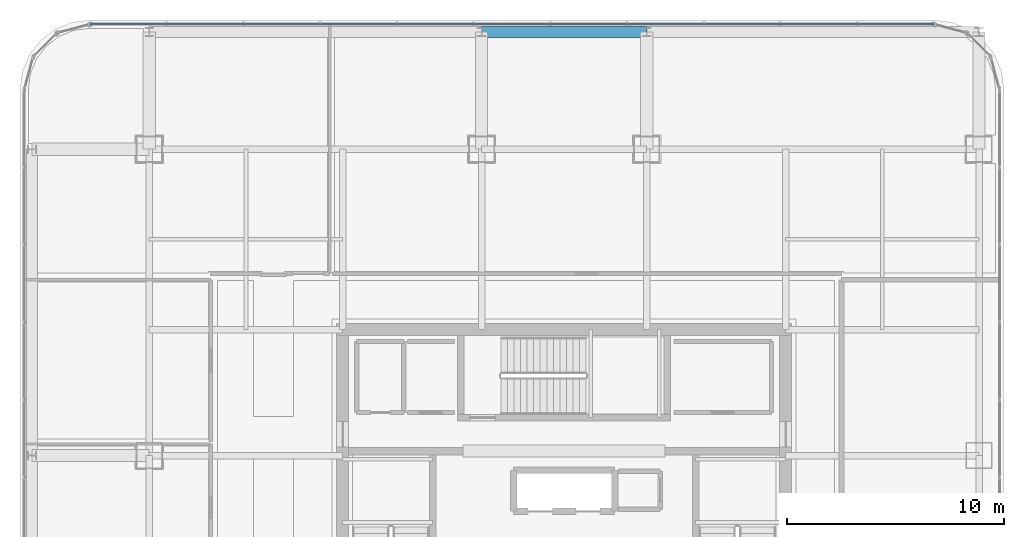
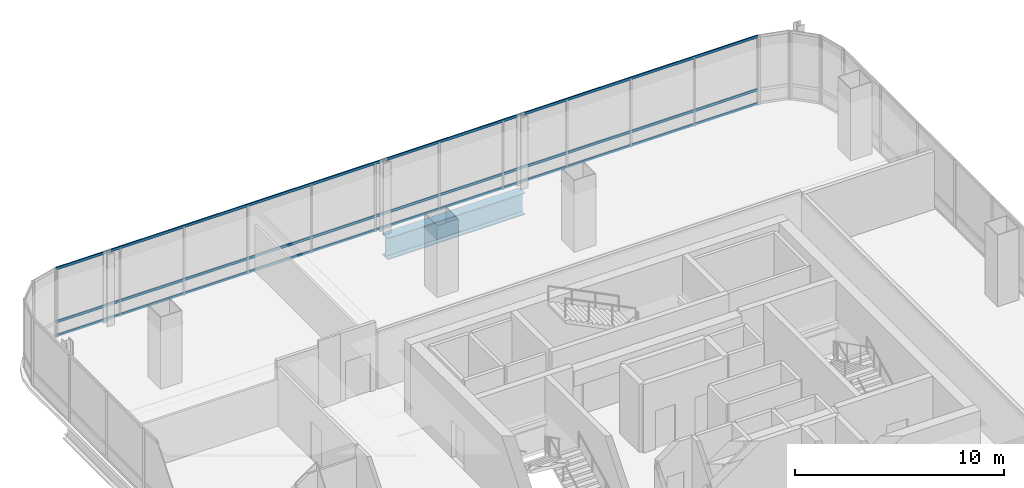
# One storey, part 26 of 42: 3 members, 1 beam, 1 element without a shape of its own.
"""IFC4 building model written with IfcOpenShell, lengths in metres."""

from ifc_helpers import new_model, si_unit, direction, frame, origin, origin_2d, place, context, subcontext, project, spatial, hollow_rectangle, i_section, extrude, material, material_profile, profile_set, type_object, element, aggregate, save


model = new_model("IFC4")

# Units and contexts
model_context = context("Model", 3, precision=1e-05, world=origin(), true_north=direction((0.0, 1.0)))
body_context = subcontext(model_context, "Body", "Model", "MODEL_VIEW")
ifc_project = project(units=[si_unit("LENGTHUNIT", "METRE"), si_unit("AREAUNIT", "SQUARE_METRE"), si_unit("VOLUMEUNIT", "CUBIC_METRE"), si_unit("PLANEANGLEUNIT", "RADIAN"), si_unit("MASSUNIT", "GRAM", prefix="KILO")], contexts=[model_context])

# Site, building, storey
site_placement = place(None, origin())
site = spatial("IfcSite", under=ifc_project, at=site_placement, CompositionType="ELEMENT")
building_placement = place(site_placement, origin())
building = spatial("IfcBuilding", under=site, at=building_placement, Name="Punatoya Terracotta Tower", CompositionType="ELEMENT")
storey_placement = place(building_placement, frame((0.0, 0.0, 296.39990234375)))
storey = spatial("IfcBuildingStorey", under=building, at=storey_placement, Name="L70", CompositionType="ELEMENT", Elevation=296.39990234375)

# Beam
ifc_material_1 = material(Name="Steel S460", Category="steel")
ifc_material_profile_1 = material_profile(ifc_material_1, i_section(OverallWidth=0.52001953125, OverallDepth=1.280029296875, WebThickness=0.031982421875, FlangeThickness=0.050048828125, FilletRadius=0.01806640625, at=origin_2d()))
ifc_profile_set_1 = profile_set([ifc_material_profile_1], Name="Steel S460")
beam_type = type_object("IfcBeamType", Name="BM-TG-NCK", PredefinedType="BEAM", material=ifc_profile_set_1)
beam_placement = place(storey_placement, frame((-3.800048828125, 22.89990234375, -0.83984375), z_axis=(1.0, 0.0, 0.0), x_axis=(0.0, 1.0, 0.0)))
element("IfcBeam", 1, at=beam_placement, inside=storey, type_object=beam_type, Name="BM-L70-PER-N2", PredefinedType="BEAM", context=body_context, shape_type="SweptSolid", body=[
    extrude(i_section(OverallWidth=0.52001953125, OverallDepth=1.280029296875, WebThickness=0.031982421875, FlangeThickness=0.050048828125, FilletRadius=0.01806640625, at=origin_2d()), origin(), (0.0, 0.0, 1.0), 7.60009765625),
])

# Curtain wall, members
ifc_material_2 = material(Name="Aluminium 6063-T6 + Double Low-E Glass", Category="aluminium")
curtain_wall_type = type_object("IfcCurtainWallType", Name="CW-M3", PredefinedType="NOTDEFINED", material=ifc_material_2)
curtain_wall_placement = place(storey_placement, origin())
curtain_wall = element("IfcCurtainWall", 2, at=curtain_wall_placement, inside=storey, type_object=curtain_wall_type, Name="L70 Curtain Wall CW-L70-N09-1", PredefinedType="NOTDEFINED")
ifc_material_3 = material(Name="Aluminium 6063-T6", Category="aluminium")
ifc_material_profile_2 = material_profile(ifc_material_3, hollow_rectangle(XDim=0.068115234375, YDim=0.14990234375, WallThickness=0.00390625, at=origin_2d()))
ifc_profile_set_2 = profile_set([ifc_material_profile_2], Name="Aluminium 6063-T6")
member_type = type_object("IfcMemberType", Name="CW-TRN-TYP", PredefinedType="USERDEFINED", material=ifc_profile_set_2)
member_1_placement = place(storey_placement, frame((17.036865234375, 23.25, 0.0400390625), z_axis=(-1.0, 0.0, 0.0), x_axis=(0.0, -1.0, 0.0)))
member_1 = element("IfcMember", 3, at=member_1_placement, type_object=member_type, Name="CW-L70-N09-1 Transom 1", ObjectType="TRANSOM", PredefinedType="USERDEFINED", context=body_context, shape_type="SweptSolid", body=[
    extrude(hollow_rectangle(XDim=0.068115234375, YDim=0.14990234375, WallThickness=0.00390625, at=origin_2d()), origin(), (0.0, 0.0, 1.0), 38.873779296875),
])
member_2_placement = place(storey_placement, frame((17.036865234375, 23.25, 0.85009765625), z_axis=(-1.0, 0.0, 0.0), x_axis=(0.0, -1.0, 0.0)))
member_2 = element("IfcMember", 4, at=member_2_placement, type_object=member_type, Name="CW-L70-N09-1 Transom 2", ObjectType="TRANSOM", PredefinedType="USERDEFINED", context=body_context, shape_type="SweptSolid", body=[
    extrude(hollow_rectangle(XDim=0.068115234375, YDim=0.14990234375, WallThickness=0.00390625, at=origin_2d()), origin(), (0.0, 0.0, 1.0), 38.873779296875),
])
member_3_placement = place(storey_placement, frame((17.036865234375, 23.25, 3.960205078125), z_axis=(-1.0, 0.0, 0.0), x_axis=(0.0, -1.0, 0.0)))
member_3 = element("IfcMember", 5, at=member_3_placement, type_object=member_type, Name="CW-L70-N09-1 Transom 3", ObjectType="TRANSOM", PredefinedType="USERDEFINED", context=body_context, shape_type="SweptSolid", body=[
    extrude(hollow_rectangle(XDim=0.068115234375, YDim=0.14990234375, WallThickness=0.00390625, at=origin_2d()), origin(), (0.0, 0.0, 1.0), 38.873779296875),
])
aggregate(curtain_wall, [member_1, member_2, member_3])

save(model, "model.ifc")
